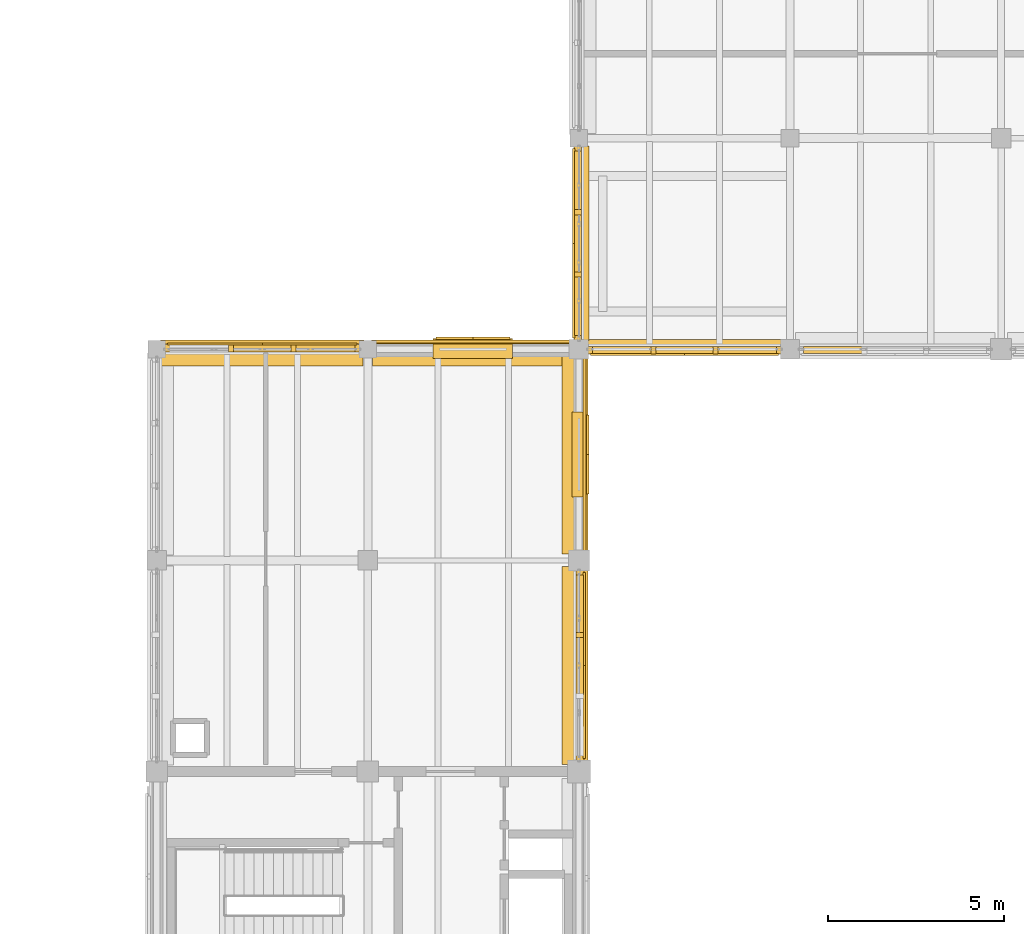
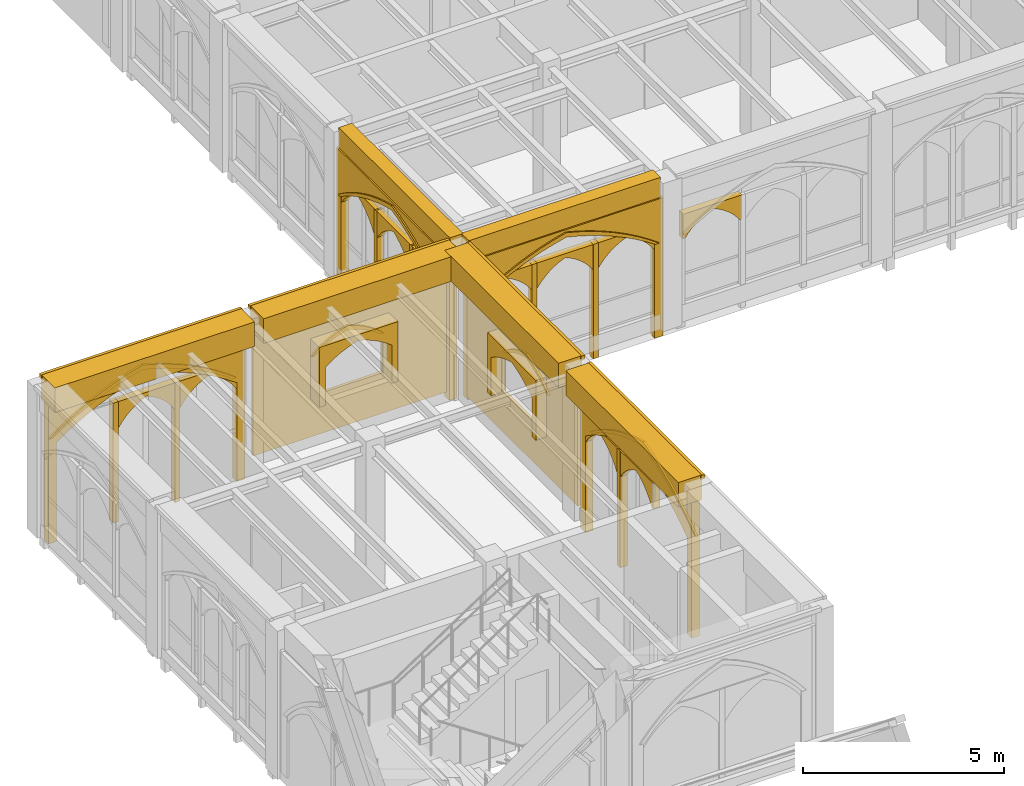
# One storey, part 119 of 143: 42 coverings.
"""IFC4 building model written with IfcOpenShell, lengths in metres."""

from ifc_helpers import new_model, si_unit, direction, frame, origin, origin_2d, place, context, subcontext, project, spatial, polyline, rectangle, outline, extrude, material, type_object, element, save


model = new_model("IFC4")

# Units and contexts
model_context = context("Model", 3, precision=1e-05, world=origin(), true_north=direction((0.0, 1.0)))
body_context = subcontext(model_context, "Body", "Model", "MODEL_VIEW")
ifc_project = project(units=[si_unit("LENGTHUNIT", "METRE"), si_unit("AREAUNIT", "SQUARE_METRE"), si_unit("VOLUMEUNIT", "CUBIC_METRE"), si_unit("PLANEANGLEUNIT", "RADIAN"), si_unit("MASSUNIT", "GRAM", prefix="KILO")], contexts=[model_context])

# Site, building, storey
site_placement = place(None, origin())
site = spatial("IfcSite", under=ifc_project, at=site_placement, CompositionType="ELEMENT")
building_placement = place(site_placement, origin())
building = spatial("IfcBuilding", under=site, at=building_placement, Name="Cumevento Cable Car Station", CompositionType="ELEMENT")
storey_placement = place(building_placement, frame((0.0, 0.0, 9.0)))
storey = spatial("IfcBuildingStorey", under=building, at=storey_placement, Name="L03", CompositionType="ELEMENT", Elevation=9.0)

# Coverings
ifc_material = material(Name="Gnaisse Facoidal Stone Ashlar 85 MPa", Category="masonry")
covering_type = type_object("IfcCoveringType", Name="Gnaisse Ashlar Cladding CV-CL01", PredefinedType="CLADDING", material=ifc_material)
covering_1_placement = place(storey_placement, frame((13.0, 44.85009765625, 3.8330078125), z_axis=(0.0, 0.0, 1.0), x_axis=(1.0, 0.0, 0.0)))
element("IfcCovering", 1, at=covering_1_placement, inside=storey, type_object=covering_type, Name="Gothic Stone Spandrel Stringcourse sc:0620", PredefinedType="CLADDING", context=body_context, shape_type="SweptSolid", body=[
    extrude(rectangle(XDim=5.739990234375, YDim=0.659912109375, at=origin_2d()), origin(), (0.0, 0.0, 1.0), 0.7470703125),
])
covering_2_placement = place(storey_placement, frame((13.0, 45.20751953125, 4.449951171875), z_axis=(0.0, 0.0, 1.0), x_axis=(1.0, 0.0, 0.0)))
element("IfcCovering", 2, at=covering_2_placement, inside=storey, type_object=covering_type, Name="Gothic Cornice Dripstone Lip sc:0620", PredefinedType="CLADDING", context=body_context, shape_type="SweptSolid", body=[
    extrude(rectangle(XDim=5.780029296875, YDim=0.114990234375, at=origin_2d()), origin(), (0.0, 0.0, 1.0), 0.1298828125),
])
covering_3_placement = place(storey_placement, frame((18.987548828125, 44.85009765625, 3.8330078125), z_axis=(0.0, 0.0, 1.0), x_axis=(1.0, 0.0, 0.0)))
element("IfcCovering", 3, at=covering_3_placement, inside=storey, type_object=covering_type, Name="Gothic Stone Spandrel Stringcourse sc:0621", PredefinedType="CLADDING", context=body_context, shape_type="SweptSolid", body=[
    extrude(rectangle(XDim=5.715087890625, YDim=0.659912109375, at=origin_2d()), origin(), (0.0, 0.0, 1.0), 0.7470703125),
])
covering_4_placement = place(storey_placement, frame((18.987548828125, 45.20751953125, 4.449951171875), z_axis=(0.0, 0.0, 1.0), x_axis=(1.0, 0.0, 0.0)))
element("IfcCovering", 4, at=covering_4_placement, inside=storey, type_object=covering_type, Name="Gothic Cornice Dripstone Lip sc:0621", PredefinedType="CLADDING", context=body_context, shape_type="SweptSolid", body=[
    extrude(rectangle(XDim=5.7548828125, YDim=0.114990234375, at=origin_2d()), origin(), (0.0, 0.0, 1.0), 0.1298828125),
])
covering_5_placement = place(storey_placement, frame((21.85009765625, 36.012451171875, 3.8330078125), z_axis=(0.0, 0.0, 1.0), x_axis=(0.0, -1.0, 0.0)))
element("IfcCovering", 5, at=covering_5_placement, inside=storey, type_object=covering_type, Name="Gothic Stone Spandrel Stringcourse sc:0624", PredefinedType="CLADDING", context=body_context, shape_type="SweptSolid", body=[
    extrude(rectangle(XDim=5.614990234375, YDim=0.659912109375, at=origin_2d()), origin(), (0.0, 0.0, 1.0), 0.7470703125),
])
covering_6_placement = place(storey_placement, frame((22.20751953125, 36.012451171875, 4.449951171875), z_axis=(0.0, 0.0, 1.0), x_axis=(0.0, -1.0, 0.0)))
element("IfcCovering", 6, at=covering_6_placement, inside=storey, type_object=covering_type, Name="Gothic Cornice Dripstone Lip sc:0624", PredefinedType="CLADDING", context=body_context, shape_type="SweptSolid", body=[
    extrude(rectangle(XDim=5.655029296875, YDim=0.114990234375, at=origin_2d()), origin(), (0.0, 0.0, 1.0), 0.1298828125),
])
covering_7_placement = place(storey_placement, frame((21.85009765625, 42.012451171875, 3.8330078125), z_axis=(0.0, 0.0, 1.0), x_axis=(0.0, -1.0, 0.0)))
element("IfcCovering", 7, at=covering_7_placement, inside=storey, type_object=covering_type, Name="Gothic Stone Spandrel Stringcourse sc:0625", PredefinedType="CLADDING", context=body_context, shape_type="SweptSolid", body=[
    extrude(rectangle(XDim=5.6650390625, YDim=0.659912109375, at=origin_2d()), origin(), (0.0, 0.0, 1.0), 0.7470703125),
])
covering_8_placement = place(storey_placement, frame((22.20751953125, 42.012451171875, 4.449951171875), z_axis=(0.0, 0.0, 1.0), x_axis=(0.0, -1.0, 0.0)))
element("IfcCovering", 8, at=covering_8_placement, inside=storey, type_object=covering_type, Name="Gothic Cornice Dripstone Lip sc:0625", PredefinedType="CLADDING", context=body_context, shape_type="SweptSolid", body=[
    extrude(rectangle(XDim=5.705078125, YDim=0.114990234375, at=origin_2d()), origin(), (0.0, 0.0, 1.0), 0.1298828125),
])
covering_9_placement = place(storey_placement, frame((25.0, 45.090087890625, 3.8330078125), z_axis=(0.0, 0.0, 1.0), x_axis=(-1.0, 0.0, 0.0)))
element("IfcCovering", 9, at=covering_9_placement, inside=storey, type_object=covering_type, Name="Gothic Stone Spandrel Stringcourse sc:0626", PredefinedType="CLADDING", context=body_context, shape_type="SweptSolid", body=[
    extrude(rectangle(XDim=5.510009765625, YDim=0.3798828125, at=origin_2d()), origin(), (0.0, 0.0, 1.0), 0.7470703125),
])
covering_10_placement = place(storey_placement, frame((22.090087890625, 48.012451171875, 3.8330078125), z_axis=(0.0, 0.0, 1.0), x_axis=(0.0, 1.0, 0.0)))
element("IfcCovering", 10, at=covering_10_placement, inside=storey, type_object=covering_type, Name="Gothic Stone Spandrel Stringcourse sc:0634", PredefinedType="CLADDING", context=body_context, shape_type="SweptSolid", body=[
    extrude(rectangle(XDim=5.534912109375, YDim=0.3798828125, at=origin_2d()), origin(), (0.0, 0.0, 1.0), 0.7470703125),
])
placement_1 = place(storey_placement, frame((10.25, 45.0, -0.419921875), z_axis=(0.0, 0.0, 1.0), x_axis=(1.0, 0.0, 0.0)))
element("IfcCovering", 11, at=placement_1, inside=storey, type_object=covering_type, Name="Gothic Ogival Pointed-Arch Stone Spandrel cw_ogival:0090", PredefinedType="CLADDING", context=body_context, shape_type="SweptSolid", body=[
    extrude(outline(polyline([(-0.080078125, 0.0), (-0.080078125, 4.39306640625), (5.580078125, 4.39306640625), (5.580078125, 0.0), (5.340087890625, 0.0), (5.340087890625, 3.005126953125), (5.044677734375, 3.20849609375), (4.73974609375, 3.39697265625), (4.426025390625, 3.570068359375), (4.10400390625, 3.7275390625), (3.7744140625, 3.868896484375), (3.4384765625, 3.993896484375), (3.0966796875, 4.10205078125), (2.75, 4.193115234375), (2.4033203125, 4.10205078125), (2.0615234375, 3.993896484375), (1.7255859375, 3.868896484375), (1.39599609375, 3.7275390625), (1.073974609375, 3.570068359375), (0.76025390625, 3.39697265625), (0.455322265625, 3.20849609375), (0.159912109375, 3.005126953125), (0.159912109375, 0.0), (-0.080078125, 0.0)])), frame((0.0, 0.139892578125, 0.0), z_axis=(0.0, -1.0, 0.0), x_axis=(1.0, 0.0, 0.0)), (0.0, 0.0, 1.0), 0.219970703125),
])
covering_12_placement = place(storey_placement, frame((10.25, 45.0, 2.585205078125), z_axis=(0.0, 0.0, 1.0), x_axis=(1.0, 0.0, 0.0)))
element("IfcCovering", 12, at=covering_12_placement, inside=storey, type_object=covering_type, Name="Gothic Pointed Archivolt Hood Moulding cw_ogival:0090", PredefinedType="CLADDING", context=body_context, shape_type="SweptSolid", body=[
    extrude(outline(polyline([(0.159912109375, 0.0), (0.455322265625, 0.203369140625), (0.76025390625, 0.391845703125), (1.073974609375, 0.56494140625), (1.39599609375, 0.722412109375), (1.7255859375, 0.86376953125), (2.0615234375, 0.98876953125), (2.4033203125, 1.096923828125), (2.75, 1.18798828125), (3.0966796875, 1.096923828125), (3.4384765625, 0.98876953125), (3.7744140625, 0.86376953125), (4.10400390625, 0.722412109375), (4.426025390625, 0.56494140625), (4.73974609375, 0.391845703125), (5.044677734375, 0.203369140625), (5.340087890625, 0.0), (5.449951171875, 0.0), (5.146240234375, 0.22607421875), (4.8310546875, 0.43603515625), (4.50537109375, 0.629150390625), (4.169921875, 0.804931640625), (3.82568359375, 0.962890625), (3.4736328125, 1.1025390625), (3.11474609375, 1.223388671875), (2.75, 1.325439453125), (2.38525390625, 1.223388671875), (2.0263671875, 1.1025390625), (1.67431640625, 0.962890625), (1.330078125, 0.804931640625), (0.99462890625, 0.629150390625), (0.6689453125, 0.43603515625), (0.353759765625, 0.22607421875), (0.050048828125, 0.0), (0.159912109375, 0.0)])), frame((0.0, 0.181884765625, 0.0), z_axis=(0.0, -1.0, 0.0), x_axis=(1.0, 0.0, 0.0)), (0.0, 0.0, 1.0), 0.06689453125),
])
element("IfcCovering", 13, at=placement_1, inside=storey, type_object=covering_type, Name="Gothic Bifora Stone Colonnette cw_ogival:0090 #1", PredefinedType="CLADDING", context=body_context, shape_type="SweptSolid", body=[
    extrude(outline(polyline([(1.78662109375, -0.02001953125), (1.936767578125, -0.02001953125), (1.936767578125, 3.622802734375), (1.78662109375, 3.622802734375), (1.78662109375, -0.02001953125)])), frame((0.0, 0.1279296875, 0.0), z_axis=(0.0, -1.0, 0.0), x_axis=(1.0, 0.0, 0.0)), (0.0, 0.0, 1.0), 0.205078125),
])
element("IfcCovering", 14, at=placement_1, inside=storey, type_object=covering_type, Name="Gothic Bifora Stone Colonnette cw_ogival:0090 #2", PredefinedType="CLADDING", context=body_context, shape_type="SweptSolid", body=[
    extrude(outline(polyline([(3.563232421875, -0.02001953125), (3.71337890625, -0.02001953125), (3.71337890625, 3.622802734375), (3.563232421875, 3.622802734375), (3.563232421875, -0.02001953125)])), frame((0.0, 0.1279296875, 0.0), z_axis=(0.0, -1.0, 0.0), x_axis=(1.0, 0.0, 0.0)), (0.0, 0.0, 1.0), 0.205078125),
])
for number, where, z_axis, x_axis, name in (
    (15, (12.15673828125, 45.0, 2.405029296875), (0.0, 0.0, 1.0), (1.0, 0.0, 0.0), "Gothic Ogival Pointed-Arch Stone Spandrel cw_ogival:0090:sub:1"),
    (16, (13.933349609375, 45.0, 2.405029296875), (0.0, 0.0, 1.0), (1.0, 0.0, 0.0), "Gothic Ogival Pointed-Arch Stone Spandrel cw_ogival:0090:sub:2"),
):
    element("IfcCovering", number, at=place(storey_placement, frame(where, z_axis=z_axis, x_axis=x_axis)), inside=storey, type_object=covering_type, Name=name, PredefinedType="CLADDING", context=body_context, shape_type="SweptSolid", body=[
        extrude(outline(polyline([(-0.02001953125, 0.0), (-0.02001953125, 0.797607421875), (1.706787109375, 0.797607421875), (1.706787109375, 0.0), (1.646728515625, 0.0), (1.5458984375, 0.14697265625), (1.429931640625, 0.2822265625), (1.30029296875, 0.404052734375), (1.157958984375, 0.511474609375), (1.005126953125, 0.60302734375), (0.84326171875, 0.677734375), (0.681640625, 0.60302734375), (0.52880859375, 0.511474609375), (0.386474609375, 0.404052734375), (0.2568359375, 0.2822265625), (0.140869140625, 0.14697265625), (0.0400390625, 0.0), (-0.02001953125, 0.0)])), frame((0.0, 0.1240234375, 0.0), z_axis=(0.0, -1.0, 0.0), x_axis=(1.0, 0.0, 0.0)), (0.0, 0.0, 1.0), 0.199951171875),
    ])
placement_2 = place(storey_placement, frame((22.0, 38.699951171875, -0.320068359375), z_axis=(0.0, 0.0, 1.0), x_axis=(0.0, -1.0, 0.0)))
element("IfcCovering", 17, at=placement_2, inside=storey, type_object=covering_type, Name="Gothic Ogival Pointed-Arch Stone Spandrel cw_ogival:0092", PredefinedType="CLADDING", context=body_context, shape_type="SweptSolid", body=[
    extrude(outline(polyline([(-0.080078125, 0.0), (-0.080078125, 4.29296875), (5.455078125, 4.29296875), (5.455078125, 0.0), (5.215087890625, 0.0), (5.215087890625, 2.941162109375), (4.926513671875, 3.138427734375), (4.628662109375, 3.3212890625), (4.322265625, 3.489013671875), (4.008056640625, 3.641845703125), (3.686767578125, 3.77880859375), (3.35888671875, 3.89990234375), (3.025634765625, 4.004638671875), (2.6875, 4.093017578125), (2.349365234375, 4.004638671875), (2.01611328125, 3.89990234375), (1.688232421875, 3.77880859375), (1.366943359375, 3.641845703125), (1.052734375, 3.489013671875), (0.746337890625, 3.3212890625), (0.448486328125, 3.138427734375), (0.159912109375, 2.941162109375), (0.159912109375, 0.0), (-0.080078125, 0.0)])), frame((0.0, 0.139892578125, 0.0), z_axis=(0.0, -1.0, 0.0), x_axis=(1.0, 0.0, 0.0)), (0.0, 0.0, 1.0), 0.219970703125),
])
covering_16_placement = place(storey_placement, frame((22.0, 38.699951171875, 2.62109375), z_axis=(0.0, 0.0, 1.0), x_axis=(0.0, -1.0, 0.0)))
element("IfcCovering", 18, at=covering_16_placement, inside=storey, type_object=covering_type, Name="Gothic Pointed Archivolt Hood Moulding cw_ogival:0092", PredefinedType="CLADDING", context=body_context, shape_type="SweptSolid", body=[
    extrude(outline(polyline([(0.159912109375, 0.0), (0.448486328125, 0.197265625), (0.746337890625, 0.380126953125), (1.052734375, 0.5478515625), (1.366943359375, 0.70068359375), (1.688232421875, 0.837646484375), (2.01611328125, 0.958740234375), (2.349365234375, 1.0634765625), (2.6875, 1.15185546875), (3.025634765625, 1.0634765625), (3.35888671875, 0.958740234375), (3.686767578125, 0.837646484375), (4.008056640625, 0.70068359375), (4.322265625, 0.5478515625), (4.628662109375, 0.380126953125), (4.926513671875, 0.197265625), (5.215087890625, 0.0), (5.324951171875, 0.0), (5.028076171875, 0.219970703125), (4.719970703125, 0.42431640625), (4.401611328125, 0.612060546875), (4.073974609375, 0.783203125), (3.73779296875, 0.936767578125), (3.39404296875, 1.072509765625), (3.04345703125, 1.190185546875), (2.6875, 1.289306640625), (2.33154296875, 1.190185546875), (1.98095703125, 1.072509765625), (1.63720703125, 0.936767578125), (1.301025390625, 0.783203125), (0.973388671875, 0.612060546875), (0.655029296875, 0.42431640625), (0.346923828125, 0.219970703125), (0.050048828125, 0.0), (0.159912109375, 0.0)])), frame((0.0, 0.181884765625, 0.0), z_axis=(0.0, -1.0, 0.0), x_axis=(1.0, 0.0, 0.0)), (0.0, 0.0, 1.0), 0.06689453125),
])
element("IfcCovering", 19, at=placement_2, inside=storey, type_object=covering_type, Name="Gothic Bifora Stone Colonnette cw_ogival:0092 #1", PredefinedType="CLADDING", context=body_context, shape_type="SweptSolid", body=[
    extrude(outline(polyline([(1.7451171875, -0.02001953125), (1.89501953125, -0.02001953125), (1.89501953125, 3.5400390625), (1.7451171875, 3.5400390625), (1.7451171875, -0.02001953125)])), frame((0.0, 0.1279296875, 0.0), z_axis=(0.0, -1.0, 0.0), x_axis=(1.0, 0.0, 0.0)), (0.0, 0.0, 1.0), 0.205078125),
])
for number, where, z_axis, x_axis, name in (
    (20, (22.0, 38.570068359375, 2.441162109375), (0.0, 0.0, 1.0), (0.0, -1.0, 0.0), "Gothic Ogival Pointed-Arch Stone Spandrel cw_ogival:0092:sub:0"),
    (21, (22.0, 36.8349609375, 2.441162109375), (0.0, 0.0, 1.0), (0.0, -1.0, 0.0), "Gothic Ogival Pointed-Arch Stone Spandrel cw_ogival:0092:sub:1"),
):
    element("IfcCovering", number, at=place(storey_placement, frame(where, z_axis=z_axis, x_axis=x_axis)), inside=storey, type_object=covering_type, Name=name, PredefinedType="CLADDING", context=body_context, shape_type="SweptSolid", body=[
        extrude(outline(polyline([(-0.02001953125, 0.0), (-0.02001953125, 0.779052734375), (1.6650390625, 0.779052734375), (1.6650390625, 0.0), (1.60498046875, 0.0), (1.5068359375, 0.142822265625), (1.393798828125, 0.2744140625), (1.267333984375, 0.39306640625), (1.12890625, 0.49755859375), (0.97998046875, 0.58642578125), (0.822509765625, 0.658935546875), (0.6650390625, 0.58642578125), (0.51611328125, 0.49755859375), (0.377685546875, 0.39306640625), (0.251220703125, 0.2744140625), (0.13818359375, 0.142822265625), (0.0400390625, 0.0), (-0.02001953125, 0.0)])), frame((0.0, 0.1240234375, 0.0), z_axis=(0.0, -1.0, 0.0), x_axis=(1.0, 0.0, 0.0)), (0.0, 0.0, 1.0), 0.199951171875),
    ])
placement_3 = place(storey_placement, frame((27.72509765625, 45.0, -0.219970703125), z_axis=(0.0, 0.0, 1.0), x_axis=(-1.0, 0.0, 0.0)))
element("IfcCovering", 22, at=placement_3, inside=storey, type_object=covering_type, Name="Gothic Ogival Pointed-Arch Stone Spandrel cw_ogival:0094", PredefinedType="CLADDING", context=body_context, shape_type="SweptSolid", body=[
    extrude(outline(polyline([(-0.080078125, 0.0), (-0.080078125, 4.193115234375), (5.530029296875, 4.193115234375), (5.530029296875, 0.0), (5.2900390625, 0.0), (5.2900390625, 2.877197265625), (4.994873046875, 3.068603515625), (4.691162109375, 3.245849609375), (4.37939453125, 3.40869140625), (4.060302734375, 3.556396484375), (3.734619140625, 3.689208984375), (3.40283203125, 3.806396484375), (3.066162109375, 3.90771484375), (2.72509765625, 3.9931640625), (2.3837890625, 3.90771484375), (2.047119140625, 3.806396484375), (1.71533203125, 3.689208984375), (1.3896484375, 3.556396484375), (1.070556640625, 3.40869140625), (0.7587890625, 3.245849609375), (0.455078125, 3.068603515625), (0.159912109375, 2.877197265625), (0.159912109375, 0.0), (-0.080078125, 0.0)])), frame((0.0, 0.139892578125, 0.0), z_axis=(0.0, -1.0, 0.0), x_axis=(1.0, 0.0, 0.0)), (0.0, 0.0, 1.0), 0.219970703125),
])
covering_19_placement = place(storey_placement, frame((27.72509765625, 45.0, 2.656982421875), z_axis=(0.0, 0.0, 1.0), x_axis=(-1.0, 0.0, 0.0)))
element("IfcCovering", 23, at=covering_19_placement, inside=storey, type_object=covering_type, Name="Gothic Pointed Archivolt Hood Moulding cw_ogival:0094", PredefinedType="CLADDING", context=body_context, shape_type="SweptSolid", body=[
    extrude(outline(polyline([(0.159912109375, 0.0), (0.455078125, 0.19140625), (0.7587890625, 0.36865234375), (1.070556640625, 0.531494140625), (1.3896484375, 0.679443359375), (1.71533203125, 0.81201171875), (2.047119140625, 0.92919921875), (2.3837890625, 1.030517578125), (2.72509765625, 1.115966796875), (3.066162109375, 1.030517578125), (3.40283203125, 0.92919921875), (3.734619140625, 0.81201171875), (4.060302734375, 0.679443359375), (4.37939453125, 0.531494140625), (4.691162109375, 0.36865234375), (4.994873046875, 0.19140625), (5.2900390625, 0.0), (5.39990234375, 0.0), (5.09619140625, 0.21435546875), (4.781982421875, 0.4130859375), (4.458251953125, 0.595703125), (4.125732421875, 0.761962890625), (3.785400390625, 0.9111328125), (3.437744140625, 1.04296875), (3.083984375, 1.1572265625), (2.72509765625, 1.25341796875), (2.365966796875, 1.1572265625), (2.01220703125, 1.04296875), (1.66455078125, 0.9111328125), (1.32421875, 0.761962890625), (0.99169921875, 0.595703125), (0.66796875, 0.4130859375), (0.353759765625, 0.21435546875), (0.050048828125, 0.0), (0.159912109375, 0.0)])), frame((0.0, 0.181884765625, 0.0), z_axis=(0.0, -1.0, 0.0), x_axis=(1.0, 0.0, 0.0)), (0.0, 0.0, 1.0), 0.06689453125),
])
element("IfcCovering", 24, at=placement_3, inside=storey, type_object=covering_type, Name="Gothic Bifora Stone Colonnette cw_ogival:0094 #1", PredefinedType="CLADDING", context=body_context, shape_type="SweptSolid", body=[
    extrude(outline(polyline([(1.77001953125, -0.02001953125), (1.919921875, -0.02001953125), (1.919921875, 3.45751953125), (1.77001953125, 3.45751953125), (1.77001953125, -0.02001953125)])), frame((0.0, 0.1279296875, 0.0), z_axis=(0.0, -1.0, 0.0), x_axis=(1.0, 0.0, 0.0)), (0.0, 0.0, 1.0), 0.205078125),
])
element("IfcCovering", 25, at=placement_3, inside=storey, type_object=covering_type, Name="Gothic Bifora Stone Colonnette cw_ogival:0094 #2", PredefinedType="CLADDING", context=body_context, shape_type="SweptSolid", body=[
    extrude(outline(polyline([(3.530029296875, -0.02001953125), (3.679931640625, -0.02001953125), (3.679931640625, 3.45751953125), (3.530029296875, 3.45751953125), (3.530029296875, -0.02001953125)])), frame((0.0, 0.1279296875, 0.0), z_axis=(0.0, -1.0, 0.0), x_axis=(1.0, 0.0, 0.0)), (0.0, 0.0, 1.0), 0.205078125),
])
for number, where, z_axis, x_axis, name in (
    (26, (27.594970703125, 45.0, 2.47705078125), (0.0, 0.0, 1.0), (-1.0, 0.0, 0.0), "Gothic Ogival Pointed-Arch Stone Spandrel cw_ogival:0094:sub:0"),
    (27, (25.8349609375, 45.0, 2.47705078125), (0.0, 0.0, 1.0), (-1.0, 0.0, 0.0), "Gothic Ogival Pointed-Arch Stone Spandrel cw_ogival:0094:sub:1"),
    (28, (24.074951171875, 45.0, 2.47705078125), (0.0, 0.0, 1.0), (-1.0, 0.0, 0.0), "Gothic Ogival Pointed-Arch Stone Spandrel cw_ogival:0094:sub:2"),
):
    element("IfcCovering", number, at=place(storey_placement, frame(where, z_axis=z_axis, x_axis=x_axis)), inside=storey, type_object=covering_type, Name=name, PredefinedType="CLADDING", context=body_context, shape_type="SweptSolid", body=[
        extrude(outline(polyline([(-0.02001953125, 0.0), (-0.02001953125, 0.76025390625), (1.68994140625, 0.76025390625), (1.68994140625, 0.0), (1.6298828125, 0.0), (1.527587890625, 0.139404296875), (1.41162109375, 0.267333984375), (1.28271484375, 0.382568359375), (1.142578125, 0.48388671875), (0.992919921875, 0.570068359375), (0.8349609375, 0.640380859375), (0.677001953125, 0.570068359375), (0.52734375, 0.48388671875), (0.38720703125, 0.382568359375), (0.25830078125, 0.267333984375), (0.142333984375, 0.139404296875), (0.0400390625, 0.0), (-0.02001953125, 0.0)])), frame((0.0, 0.1240234375, 0.0), z_axis=(0.0, -1.0, 0.0), x_axis=(1.0, 0.0, 0.0)), (0.0, 0.0, 1.0), 0.199951171875),
    ])
covering_22_placement = place(storey_placement, frame((30.066650390625, 45.0, 2.498779296875), z_axis=(0.0, 0.0, 1.0), x_axis=(-1.0, 0.0, 0.0)))
element("IfcCovering", 29, at=covering_22_placement, inside=storey, type_object=covering_type, Name="Gothic Ogival Pointed-Arch Stone Spandrel cw_ogival:0095:sub:2", PredefinedType="CLADDING", context=body_context, shape_type="SweptSolid", body=[
    extrude(outline(polyline([(-0.02001953125, 0.0), (-0.02001953125, 0.7490234375), (1.681640625, 0.7490234375), (1.681640625, 0.0), (1.62158203125, 0.0), (1.519287109375, 0.136962890625), (1.4033203125, 0.262939453125), (1.275146484375, 0.3759765625), (1.135986328125, 0.4755859375), (0.9873046875, 0.56005859375), (0.830810546875, 0.62890625), (0.67431640625, 0.56005859375), (0.525634765625, 0.4755859375), (0.386474609375, 0.3759765625), (0.25830078125, 0.262939453125), (0.142333984375, 0.136962890625), (0.0400390625, 0.0), (-0.02001953125, 0.0)])), frame((0.0, 0.1240234375, 0.0), z_axis=(0.0, -1.0, 0.0), x_axis=(1.0, 0.0, 0.0)), (0.0, 0.0, 1.0), 0.199951171875),
])
placement_4 = place(storey_placement, frame((22.0, 45.27490234375, -0.320068359375), z_axis=(0.0, 0.0, 1.0), x_axis=(0.0, 1.0, 0.0)))
element("IfcCovering", 30, at=placement_4, inside=storey, type_object=covering_type, Name="Gothic Ogival Pointed-Arch Stone Spandrel cw_ogival:0100", PredefinedType="CLADDING", context=body_context, shape_type="SweptSolid", body=[
    extrude(outline(polyline([(-0.080078125, 0.0), (-0.080078125, 4.29296875), (5.554931640625, 4.29296875), (5.554931640625, 0.0), (5.31494140625, 0.0), (5.31494140625, 2.941162109375), (5.02001953125, 3.138427734375), (4.715576171875, 3.321533203125), (4.40283203125, 3.489501953125), (4.082275390625, 3.64208984375), (3.754638671875, 3.779052734375), (3.4208984375, 3.900146484375), (3.08154296875, 4.0048828125), (2.737548828125, 4.093017578125), (2.3935546875, 4.0048828125), (2.05419921875, 3.900146484375), (1.720458984375, 3.779052734375), (1.392822265625, 3.64208984375), (1.072265625, 3.489501953125), (0.759521484375, 3.321533203125), (0.455078125, 3.138427734375), (0.159912109375, 2.941162109375), (0.159912109375, 0.0), (-0.080078125, 0.0)])), frame((0.0, 0.139892578125, 0.0), z_axis=(0.0, -1.0, 0.0), x_axis=(1.0, 0.0, 0.0)), (0.0, 0.0, 1.0), 0.219970703125),
])
covering_24_placement = place(storey_placement, frame((22.0, 45.27490234375, 2.62109375), z_axis=(0.0, 0.0, 1.0), x_axis=(0.0, 1.0, 0.0)))
element("IfcCovering", 31, at=covering_24_placement, inside=storey, type_object=covering_type, Name="Gothic Pointed Archivolt Hood Moulding cw_ogival:0100", PredefinedType="CLADDING", context=body_context, shape_type="SweptSolid", body=[
    extrude(outline(polyline([(0.159912109375, 0.0), (0.455078125, 0.197265625), (0.759521484375, 0.38037109375), (1.072265625, 0.54833984375), (1.392822265625, 0.700927734375), (1.720458984375, 0.837890625), (2.05419921875, 0.958984375), (2.3935546875, 1.063720703125), (2.737548828125, 1.15185546875), (3.08154296875, 1.063720703125), (3.4208984375, 0.958984375), (3.754638671875, 0.837890625), (4.082275390625, 0.700927734375), (4.40283203125, 0.54833984375), (4.715576171875, 0.38037109375), (5.02001953125, 0.197265625), (5.31494140625, 0.0), (5.425048828125, 0.0), (5.121337890625, 0.22021484375), (4.806640625, 0.424560546875), (4.48193359375, 0.612548828125), (4.14794921875, 0.783447265625), (3.8056640625, 0.93701171875), (3.455810546875, 1.07275390625), (3.099365234375, 1.190185546875), (2.737548828125, 1.289306640625), (2.375732421875, 1.190185546875), (2.019287109375, 1.07275390625), (1.66943359375, 0.93701171875), (1.3271484375, 0.783447265625), (0.9931640625, 0.612548828125), (0.66845703125, 0.424560546875), (0.353759765625, 0.22021484375), (0.050048828125, 0.0), (0.159912109375, 0.0)])), frame((0.0, 0.181884765625, 0.0), z_axis=(0.0, -1.0, 0.0), x_axis=(1.0, 0.0, 0.0)), (0.0, 0.0, 1.0), 0.06689453125),
])
element("IfcCovering", 32, at=placement_4, inside=storey, type_object=covering_type, Name="Gothic Bifora Stone Colonnette cw_ogival:0100 #1", PredefinedType="CLADDING", context=body_context, shape_type="SweptSolid", body=[
    extrude(outline(polyline([(1.7783203125, -0.02001953125), (1.92822265625, -0.02001953125), (1.92822265625, 3.5400390625), (1.7783203125, 3.5400390625), (1.7783203125, -0.02001953125)])), frame((0.0, 0.1279296875, 0.0), z_axis=(0.0, -1.0, 0.0), x_axis=(1.0, 0.0, 0.0)), (0.0, 0.0, 1.0), 0.205078125),
])
element("IfcCovering", 33, at=placement_4, inside=storey, type_object=covering_type, Name="Gothic Bifora Stone Colonnette cw_ogival:0100 #2", PredefinedType="CLADDING", context=body_context, shape_type="SweptSolid", body=[
    extrude(outline(polyline([(3.546630859375, -0.02001953125), (3.69677734375, -0.02001953125), (3.69677734375, 3.5400390625), (3.546630859375, 3.5400390625), (3.546630859375, -0.02001953125)])), frame((0.0, 0.1279296875, 0.0), z_axis=(0.0, -1.0, 0.0), x_axis=(1.0, 0.0, 0.0)), (0.0, 0.0, 1.0), 0.205078125),
])
for number, where, z_axis, x_axis, name in (
    (34, (22.0, 45.405029296875, 2.441162109375), (0.0, 0.0, 1.0), (0.0, 1.0, 0.0), "Gothic Ogival Pointed-Arch Stone Spandrel cw_ogival:0100:sub:0"),
    (35, (22.0, 47.17333984375, 2.441162109375), (0.0, 0.0, 1.0), (0.0, 1.0, 0.0), "Gothic Ogival Pointed-Arch Stone Spandrel cw_ogival:0100:sub:1"),
    (36, (22.0, 48.941650390625, 2.441162109375), (0.0, 0.0, 1.0), (0.0, 1.0, 0.0), "Gothic Ogival Pointed-Arch Stone Spandrel cw_ogival:0100:sub:2"),
):
    element("IfcCovering", number, at=place(storey_placement, frame(where, z_axis=z_axis, x_axis=x_axis)), inside=storey, type_object=covering_type, Name=name, PredefinedType="CLADDING", context=body_context, shape_type="SweptSolid", body=[
        extrude(outline(polyline([(-0.02001953125, 0.0), (-0.02001953125, 0.779052734375), (1.6982421875, 0.779052734375), (1.6982421875, 0.0), (1.638427734375, 0.0), (1.53662109375, 0.14306640625), (1.420654296875, 0.274658203125), (1.291259765625, 0.393310546875), (1.150146484375, 0.497802734375), (0.9990234375, 0.586669921875), (0.839111328125, 0.658935546875), (0.67919921875, 0.586669921875), (0.528076171875, 0.497802734375), (0.386962890625, 0.393310546875), (0.257568359375, 0.274658203125), (0.1416015625, 0.14306640625), (0.0400390625, 0.0), (-0.02001953125, 0.0)])), frame((0.0, 0.1240234375, 0.0), z_axis=(0.0, -1.0, 0.0), x_axis=(1.0, 0.0, 0.0)), (0.0, 0.0, 1.0), 0.199951171875),
    ])
covering_27_placement = place(storey_placement, frame((16.25, 45.0, 0.0), z_axis=(0.0, 0.0, 1.0), x_axis=(1.0, 0.0, 0.0)))
element("IfcCovering", 37, at=covering_27_placement, inside=storey, type_object=covering_type, Name="Exterior Gnaisse Stone Wall Ashlar #239", PredefinedType="CLADDING", context=body_context, shape_type="SweptSolid", body=[
    extrude(outline(polyline([(-0.0400390625, -0.02001953125), (5.514892578125, -0.02001953125), (5.514892578125, 3.9130859375), (-0.0400390625, 3.9130859375), (-0.0400390625, -0.02001953125)]), holes=[polyline([(1.797607421875, 1.2099609375), (3.677490234375, 1.2099609375), (3.677490234375, 2.739990234375), (1.797607421875, 2.739990234375), (1.797607421875, 1.2099609375)])]), frame((0.0, 0.27001953125, 0.0), z_axis=(0.0, -1.0, 0.0), x_axis=(1.0, 0.0, 0.0)), (0.0, 0.0, 1.0), 0.0849609375),
])
covering_28_placement = place(storey_placement, frame((17.8974609375, 45.0, 1.14990234375), z_axis=(0.0, 0.0, 1.0), x_axis=(1.0, 0.0, 0.0)))
element("IfcCovering", 38, at=covering_28_placement, inside=storey, type_object=covering_type, Name="Gothic Ogival Pointed-Arch Stone Spandrel op_ogival:0239:1", PredefinedType="CLADDING", context=body_context, shape_type="SweptSolid", body=[
    extrude(outline(polyline([(-0.0400390625, 0.0), (-0.0400390625, 1.820068359375), (2.219970703125, 1.820068359375), (2.219970703125, 0.0), (2.0400390625, 0.0), (2.0400390625, 1.166015625), (1.91796875, 1.2578125), (1.79052734375, 1.34228515625), (1.658203125, 1.418701171875), (1.521484375, 1.48681640625), (1.380859375, 1.546630859375), (1.23681640625, 1.59765625), (1.090087890625, 1.64013671875), (0.943115234375, 1.59765625), (0.799072265625, 1.546630859375), (0.658447265625, 1.48681640625), (0.521728515625, 1.418701171875), (0.389404296875, 1.34228515625), (0.261962890625, 1.2578125), (0.139892578125, 1.166015625), (0.139892578125, 0.0), (-0.0400390625, 0.0)])), frame((0.0, 0.30810546875, 0.0), z_axis=(0.0, -1.0, 0.0), x_axis=(1.0, 0.0, 0.0)), (0.0, 0.0, 1.0), 0.570068359375),
])
covering_29_placement = place(storey_placement, frame((17.8974609375, 45.0, 2.31591796875), z_axis=(0.0, 0.0, 1.0), x_axis=(1.0, 0.0, 0.0)))
element("IfcCovering", 39, at=covering_29_placement, inside=storey, type_object=covering_type, Name="Gothic Pointed Archivolt Hood Moulding op_ogival:0239:1", PredefinedType="CLADDING", context=body_context, shape_type="SweptSolid", body=[
    extrude(outline(polyline([(0.139892578125, 0.0), (0.261962890625, 0.091796875), (0.389404296875, 0.17626953125), (0.521728515625, 0.252685546875), (0.658447265625, 0.32080078125), (0.799072265625, 0.380615234375), (0.943115234375, 0.431640625), (1.090087890625, 0.47412109375), (1.23681640625, 0.431640625), (1.380859375, 0.380615234375), (1.521484375, 0.32080078125), (1.658203125, 0.252685546875), (1.79052734375, 0.17626953125), (1.91796875, 0.091796875), (2.0400390625, 0.0), (2.138916015625, 0.0), (2.00830078125, 0.114990234375), (1.8701171875, 0.220947265625), (1.72509765625, 0.3173828125), (1.57373046875, 0.403564453125), (1.4169921875, 0.479248046875), (1.255615234375, 0.5439453125), (1.090087890625, 0.59765625), (0.92431640625, 0.5439453125), (0.762939453125, 0.479248046875), (0.606201171875, 0.403564453125), (0.454833984375, 0.3173828125), (0.309814453125, 0.220947265625), (0.171630859375, 0.114990234375), (0.041015625, 0.0), (0.139892578125, 0.0)])), frame((0.0, 0.35009765625, 0.0), z_axis=(0.0, -1.0, 0.0), x_axis=(1.0, 0.0, 0.0)), (0.0, 0.0, 1.0), 0.06689453125),
])
covering_30_placement = place(storey_placement, frame((22.0, 44.72509765625, 0.0), z_axis=(0.0, 0.0, 1.0), x_axis=(0.0, -1.0, 0.0)))
element("IfcCovering", 40, at=covering_30_placement, inside=storey, type_object=covering_type, Name="Exterior Gnaisse Stone Wall Ashlar #240", PredefinedType="CLADDING", context=body_context, shape_type="SweptSolid", body=[
    extrude(outline(polyline([(-0.0400390625, -0.02001953125), (5.465087890625, -0.02001953125), (5.465087890625, 3.9130859375), (-0.0400390625, 3.9130859375), (-0.0400390625, -0.02001953125)]), holes=[polyline([(1.697509765625, 1.2099609375), (3.7275390625, 1.2099609375), (3.7275390625, 2.739990234375), (1.697509765625, 2.739990234375), (1.697509765625, 1.2099609375)])]), frame((0.0, 0.199951171875, 0.0), z_axis=(0.0, -1.0, 0.0), x_axis=(1.0, 0.0, 0.0)), (0.0, 0.0, 1.0), 0.0849609375),
])
covering_31_placement = place(storey_placement, frame((22.0, 43.177490234375, 1.14990234375), z_axis=(0.0, 0.0, 1.0), x_axis=(0.0, -1.0, 0.0)))
element("IfcCovering", 41, at=covering_31_placement, inside=storey, type_object=covering_type, Name="Gothic Ogival Pointed-Arch Stone Spandrel op_ogival:0240:1", PredefinedType="CLADDING", context=body_context, shape_type="SweptSolid", body=[
    extrude(outline(polyline([(-0.0400390625, 0.0), (-0.0400390625, 1.820068359375), (2.3701171875, 1.820068359375), (2.3701171875, 0.0), (2.18994140625, 0.0), (2.18994140625, 1.166015625), (2.056396484375, 1.25830078125), (1.917724609375, 1.3427734375), (1.7744140625, 1.419189453125), (1.627197265625, 1.4873046875), (1.47607421875, 1.546875), (1.32177734375, 1.597900390625), (1.1650390625, 1.64013671875), (1.00830078125, 1.597900390625), (0.85400390625, 1.546875), (0.702880859375, 1.4873046875), (0.5556640625, 1.419189453125), (0.412353515625, 1.3427734375), (0.273681640625, 1.25830078125), (0.139892578125, 1.166015625), (0.139892578125, 0.0), (-0.0400390625, 0.0)])), frame((0.0, 0.238037109375, 0.0), z_axis=(0.0, -1.0, 0.0), x_axis=(1.0, 0.0, 0.0)), (0.0, 0.0, 1.0), 0.429931640625),
])
covering_32_placement = place(storey_placement, frame((22.0, 43.177490234375, 2.31591796875), z_axis=(0.0, 0.0, 1.0), x_axis=(0.0, -1.0, 0.0)))
element("IfcCovering", 42, at=covering_32_placement, inside=storey, type_object=covering_type, Name="Gothic Pointed Archivolt Hood Moulding op_ogival:0240:1", PredefinedType="CLADDING", context=body_context, shape_type="SweptSolid", body=[
    extrude(outline(polyline([(0.139892578125, 0.0), (0.273681640625, 0.09228515625), (0.412353515625, 0.1767578125), (0.5556640625, 0.253173828125), (0.702880859375, 0.3212890625), (0.85400390625, 0.380859375), (1.00830078125, 0.431884765625), (1.1650390625, 0.47412109375), (1.32177734375, 0.431884765625), (1.47607421875, 0.380859375), (1.627197265625, 0.3212890625), (1.7744140625, 0.253173828125), (1.917724609375, 0.1767578125), (2.056396484375, 0.09228515625), (2.18994140625, 0.0), (2.2890625, 0.0), (2.146728515625, 0.115478515625), (1.9970703125, 0.2216796875), (1.841064453125, 0.31787109375), (1.67919921875, 0.404052734375), (1.511962890625, 0.4794921875), (1.340576171875, 0.544189453125), (1.1650390625, 0.59765625), (0.989501953125, 0.544189453125), (0.818115234375, 0.4794921875), (0.65087890625, 0.404052734375), (0.489013671875, 0.31787109375), (0.3330078125, 0.2216796875), (0.183349609375, 0.115478515625), (0.041015625, 0.0), (0.139892578125, 0.0)])), frame((0.0, 0.280029296875, 0.0), z_axis=(0.0, -1.0, 0.0), x_axis=(1.0, 0.0, 0.0)), (0.0, 0.0, 1.0), 0.06689453125),
])

save(model, "model.ifc")
